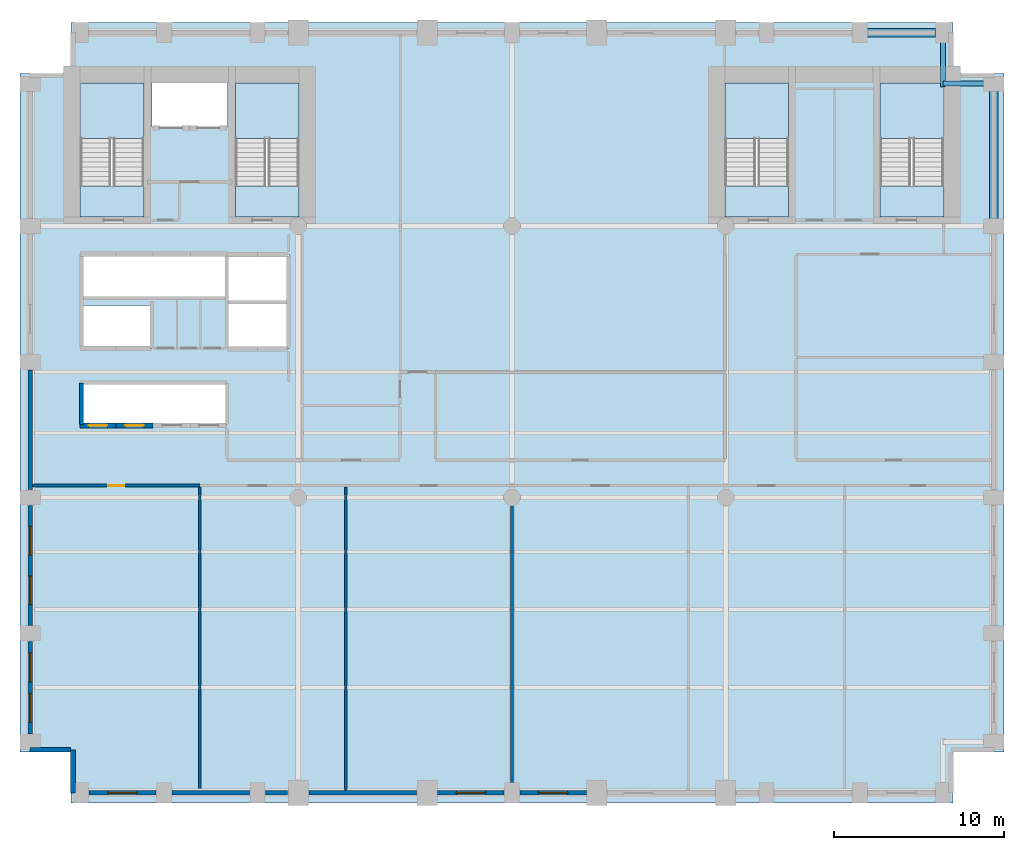
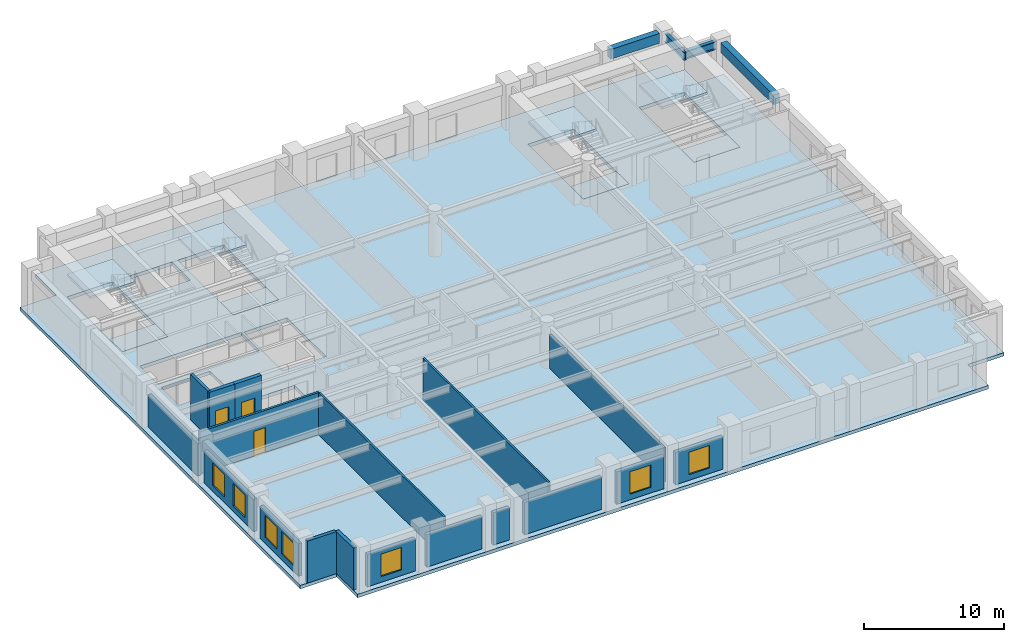
# One storey, part 2 of 8: 18 walls, 9 slabs, 7 windows, 4 beams, 3 doors, 10 openings, 4 elements without a shape of their own.
"""IFC4 building model written with IfcOpenShell, lengths in metres."""

from ifc_helpers import new_model, si_unit, direction, frame, frame_2d, origin, origin_2d, place, context, subcontext, project, spatial, polyline, rectangle, i_section, outline, extrude, material, layer, layer_set, material_profile, profile_set, type_object, element, fill, aggregate, save


model = new_model("IFC4")

# Units and contexts
model_context = context("Model", 3, precision=1e-05, world=origin(), true_north=direction((0.0, 1.0)))
body_context = subcontext(model_context, "Body", "Model", "MODEL_VIEW")
ifc_project = project(units=[si_unit("LENGTHUNIT", "METRE"), si_unit("AREAUNIT", "SQUARE_METRE"), si_unit("VOLUMEUNIT", "CUBIC_METRE"), si_unit("PLANEANGLEUNIT", "RADIAN"), si_unit("MASSUNIT", "GRAM", prefix="KILO")], contexts=[model_context])

# Site, building, storey
site_placement = place(None, origin())
site = spatial("IfcSite", under=ifc_project, at=site_placement, CompositionType="ELEMENT")
building_placement = place(site_placement, origin())
building = spatial("IfcBuilding", under=site, at=building_placement, Name="Sulina Concourse Tower", CompositionType="ELEMENT")
storey_placement = place(building_placement, frame((0.0, 0.0, 78.60009765625)))
storey = spatial("IfcBuildingStorey", under=building, at=storey_placement, Name="L19", CompositionType="ELEMENT", Elevation=78.60009765625)

# Beams
ifc_material_1 = material(Name="Steel S355", Category="steel")
ifc_material_profile_1 = material_profile(ifc_material_1, i_section(OverallWidth=0.300048828125, OverallDepth=0.699951171875, WebThickness=0.01708984375, FlangeThickness=0.031982421875, at=origin_2d()), Name="HE 700 B")
ifc_profile_set_1 = profile_set([ifc_material_profile_1], Name="Steel S355")
beam_type_1 = type_object("IfcBeamType", Name="Floor Primary Girder Zone 1 HE700B", PredefinedType="BEAM", material=ifc_profile_set_1)
beam_1_placement = place(storey_placement, frame((54.39990234375, 42.39990234375, 3.309814453125), z_axis=(1.0, 0.0, 0.0), x_axis=(0.0, 1.0, 0.0)))
element("IfcBeam", 1, at=beam_1_placement, inside=storey, type_object=beam_type_1, Name="TIE-NE-L19", PredefinedType="BEAM", context=body_context, shape_type="SweptSolid", body=[
    extrude(i_section(OverallWidth=0.300048828125, OverallDepth=0.699951171875, WebThickness=0.01708984375, FlangeThickness=0.031982421875, at=origin_2d()), origin(), (0.0, 0.0, 1.0), 2.570068359375),
])
beam_2_placement = place(storey_placement, frame((54.39990234375, 42.199951171875, 3.309814453125), z_axis=(0.0, 1.0, 0.0), x_axis=(-1.0, 0.0, 0.0)))
element("IfcBeam", 2, at=beam_2_placement, inside=storey, type_object=beam_type_1, Name="TIE-NEN-L19", PredefinedType="BEAM", context=body_context, shape_type="SweptSolid", body=[
    extrude(i_section(OverallWidth=0.300048828125, OverallDepth=0.699951171875, WebThickness=0.01708984375, FlangeThickness=0.031982421875, at=origin_2d()), origin(), (0.0, 0.0, 1.0), 2.77001953125),
])
ifc_material_2 = material(Name="Precast concrete C50/60", Category="concrete")
ifc_material_profile_2 = material_profile(ifc_material_2, rectangle(XDim=0.5, YDim=0.85009765625, at=origin_2d()), Name="RC 500x850")
ifc_profile_set_2 = profile_set([ifc_material_profile_2], Name="Precast concrete C50/60")
beam_type_2 = type_object("IfcBeamType", Name="Lower Precast Spandrel Edge Beam 500x850", PredefinedType="BEAM", material=ifc_profile_set_2)
beam_3_placement = place(storey_placement, frame((49.929931640625, 45.39990234375, 3.23486328125), z_axis=(1.0, 0.0, 0.0), x_axis=(0.0, 1.0, 0.0)))
element("IfcBeam", 3, at=beam_3_placement, inside=storey, type_object=beam_type_2, Name="SP-N10-L19", PredefinedType="BEAM", context=body_context, shape_type="SweptSolid", body=[
    extrude(rectangle(XDim=0.5, YDim=0.85009765625, at=origin_2d()), origin(), (0.0, 0.0, 1.0), 4.0400390625),
])
beam_4_placement = place(storey_placement, frame((57.39990234375, 34.429931640625, 3.23486328125), z_axis=(0.0, 1.0, 0.0), x_axis=(-1.0, 0.0, 0.0)))
element("IfcBeam", 4, at=beam_4_placement, inside=storey, type_object=beam_type_2, Name="SP-E5-L19", PredefinedType="BEAM", context=body_context, shape_type="SweptSolid", body=[
    extrude(rectangle(XDim=0.5, YDim=0.85009765625, at=origin_2d()), origin(), (0.0, 0.0, 1.0), 7.5400390625),
])

# Slabs
ifc_material_3 = material(Name="Concrete C50/60", Category="concrete")
ifc_layer_1 = layer(ifc_material_3, 0.300048828125)
ifc_layer_set_1 = layer_set([ifc_layer_1], Name="Concrete C50/60")
slab_type_1 = type_object("IfcSlabType", Name="Low-Rise Composite Floor Slab 300mm", PredefinedType="FLOOR", material=ifc_layer_set_1)
slab_1_placement = place(storey_placement, frame((0.0, 0.0, -0.300048828125)))
element("IfcSlab", 5, at=slab_1_placement, inside=storey, type_object=slab_type_1, Name="L19 structural floor slab", PredefinedType="FLOOR", context=body_context, shape_type="SweptSolid", body=[
    extrude(outline(polyline([(3.0, 0.0), (55.0, 0.0), (55.0, 3.0), (58.0, 3.0), (58.0, 43.0), (55.0, 43.0), (55.0, 46.0), (3.0, 46.0), (3.0, 43.0), (0.0, 43.0), (0.0, 3.0), (3.0, 3.0), (3.0, 0.0)]), holes=[polyline([(7.31005859375, 34.550048828125), (7.31005859375, 42.429931640625), (3.550048828125, 42.429931640625), (3.550048828125, 34.550048828125), (7.31005859375, 34.550048828125)]), polyline([(16.449951171875, 34.550048828125), (16.449951171875, 42.429931640625), (12.68994140625, 42.429931640625), (12.68994140625, 34.550048828125), (16.449951171875, 34.550048828125)]), polyline([(45.31005859375, 34.550048828125), (45.31005859375, 42.429931640625), (41.550048828125, 42.429931640625), (41.550048828125, 34.550048828125), (45.31005859375, 34.550048828125)]), polyline([(54.449951171875, 34.550048828125), (54.449951171875, 42.429931640625), (50.68994140625, 42.429931640625), (50.68994140625, 34.550048828125), (54.449951171875, 34.550048828125)]), polyline([(7.780029296875, 39.830078125), (12.219970703125, 39.830078125), (12.219970703125, 42.449951171875), (7.780029296875, 42.449951171875), (7.780029296875, 39.830078125)]), polyline([(3.739990234375, 26.780029296875), (7.77001953125, 26.780029296875), (7.77001953125, 29.320068359375), (3.739990234375, 29.320068359375), (3.739990234375, 26.780029296875)]), polyline([(3.739990234375, 29.780029296875), (12.10009765625, 29.780029296875), (12.10009765625, 32.3701171875), (3.739990234375, 32.3701171875), (3.739990234375, 29.780029296875)]), polyline([(3.739990234375, 22.280029296875), (12.10009765625, 22.280029296875), (12.10009765625, 24.77001953125), (3.739990234375, 24.77001953125), (3.739990234375, 22.280029296875)]), polyline([(12.280029296875, 26.780029296875), (15.85009765625, 26.780029296875), (15.85009765625, 32.320068359375), (12.280029296875, 32.320068359375), (12.280029296875, 26.780029296875)])]), origin(), (0.0, 0.0, 1.0), 0.300048828125),
])
ifc_material_4 = material(Name="Concrete C50/60", Category="concrete")
ifc_layer_2 = layer(ifc_material_4, 0.199951171875)
ifc_layer_set_2 = layer_set([ifc_layer_2], Name="Concrete C50/60")
slab_type_2 = type_object("IfcSlabType", Name="Primary Core Stair Landing Slab 200mm", PredefinedType="LANDING", material=ifc_layer_set_2)
slab_2_placement = place(storey_placement, frame((0.0, 0.0, -0.2001953125)))
element("IfcSlab", 6, at=slab_2_placement, inside=storey, type_object=slab_type_2, Name="L19 ST-1 floor landing slab", PredefinedType="LANDING", context=body_context, shape_type="SweptSolid", body=[
    extrude(outline(polyline([(7.31005859375, 34.550048828125), (7.31005859375, 36.375), (3.550048828125, 36.375), (3.550048828125, 34.550048828125), (7.31005859375, 34.550048828125)])), origin(), (0.0, 0.0, 1.0), 0.2001953125),
])
slab_3_placement = place(storey_placement, frame((0.0, 0.0, -0.2001953125)))
element("IfcSlab", 7, at=slab_3_placement, inside=storey, type_object=slab_type_2, Name="L19 ST-2 floor landing slab", PredefinedType="LANDING", context=body_context, shape_type="SweptSolid", body=[
    extrude(outline(polyline([(16.449951171875, 34.550048828125), (16.449951171875, 36.375), (12.68994140625, 36.375), (12.68994140625, 34.550048828125), (16.449951171875, 34.550048828125)])), origin(), (0.0, 0.0, 1.0), 0.2001953125),
])
slab_4_placement = place(storey_placement, frame((0.0, 0.0, -0.2001953125)))
element("IfcSlab", 8, at=slab_4_placement, inside=storey, type_object=slab_type_2, Name="L19 ST-3 floor landing slab", PredefinedType="LANDING", context=body_context, shape_type="SweptSolid", body=[
    extrude(outline(polyline([(45.31005859375, 34.550048828125), (45.31005859375, 36.375), (41.550048828125, 36.375), (41.550048828125, 34.550048828125), (45.31005859375, 34.550048828125)])), origin(), (0.0, 0.0, 1.0), 0.2001953125),
])
slab_5_placement = place(storey_placement, frame((0.0, 0.0, -0.2001953125)))
element("IfcSlab", 9, at=slab_5_placement, inside=storey, type_object=slab_type_2, Name="L19 ST-4 floor landing slab", PredefinedType="LANDING", context=body_context, shape_type="SweptSolid", body=[
    extrude(outline(polyline([(54.449951171875, 34.550048828125), (54.449951171875, 36.375), (50.68994140625, 36.375), (50.68994140625, 34.550048828125), (54.449951171875, 34.550048828125)])), origin(), (0.0, 0.0, 1.0), 0.2001953125),
])

# Stair, slab
ifc_material_5 = material(Name="Concrete C50/60", Category="concrete")
stair_type_1 = type_object("IfcStairType", Name="Primary Core Dog-Leg Exit Stair 1800mm", PredefinedType="HALF_TURN_STAIR", material=ifc_material_5)
stair_1_placement = place(storey_placement, origin())
stair_1 = element("IfcStair", 10, at=stair_1_placement, inside=storey, type_object=stair_type_1, Name="L19 ST-1", PredefinedType="HALF_TURN_STAIR")
slab_6_placement = place(storey_placement, frame((0.0, 0.0, 1.7998046875)))
slab_6 = element("IfcSlab", 11, at=slab_6_placement, type_object=slab_type_2, Name="ST-1 landing 1", PredefinedType="LANDING", context=body_context, shape_type="SweptSolid", body=[
    extrude(outline(polyline([(7.304931640625, 39.175048828125), (7.304931640625, 42.425048828125), (3.554931640625, 42.425048828125), (3.554931640625, 39.175048828125), (7.304931640625, 39.175048828125)])), origin(), (0.0, 0.0, 1.0), 0.2001953125),
])
aggregate(stair_1, [slab_6])

stair_2_placement = place(storey_placement, origin())
stair_2 = element("IfcStair", 12, at=stair_2_placement, inside=storey, type_object=stair_type_1, Name="L19 ST-2", PredefinedType="HALF_TURN_STAIR")
slab_7_placement = place(storey_placement, frame((0.0, 0.0, 1.7998046875)))
slab_7 = element("IfcSlab", 13, at=slab_7_placement, type_object=slab_type_2, Name="ST-2 landing 1", PredefinedType="LANDING", context=body_context, shape_type="SweptSolid", body=[
    extrude(outline(polyline([(16.445068359375, 39.175048828125), (16.445068359375, 42.425048828125), (12.695068359375, 42.425048828125), (12.695068359375, 39.175048828125), (16.445068359375, 39.175048828125)])), origin(), (0.0, 0.0, 1.0), 0.2001953125),
])
aggregate(stair_2, [slab_7])

ifc_material_6 = material(Name="Concrete C50/60", Category="concrete")
stair_type_2 = type_object("IfcStairType", Name="Portal & Podium Core Exit Stair 1820mm", PredefinedType="HALF_TURN_STAIR", material=ifc_material_6)
stair_3_placement = place(storey_placement, origin())
stair_3 = element("IfcStair", 14, at=stair_3_placement, inside=storey, type_object=stair_type_2, Name="L19 ST-3", PredefinedType="HALF_TURN_STAIR")
slab_8_placement = place(storey_placement, frame((0.0, 0.0, 1.7998046875)))
slab_8 = element("IfcSlab", 15, at=slab_8_placement, type_object=slab_type_2, Name="ST-3 landing 1", PredefinedType="LANDING", context=body_context, shape_type="SweptSolid", body=[
    extrude(outline(polyline([(45.304931640625, 39.175048828125), (45.304931640625, 42.425048828125), (41.554931640625, 42.425048828125), (41.554931640625, 39.175048828125), (45.304931640625, 39.175048828125)])), origin(), (0.0, 0.0, 1.0), 0.2001953125),
])
aggregate(stair_3, [slab_8])

stair_4_placement = place(storey_placement, origin())
stair_4 = element("IfcStair", 16, at=stair_4_placement, inside=storey, type_object=stair_type_2, Name="L19 ST-4", PredefinedType="HALF_TURN_STAIR")
slab_9_placement = place(storey_placement, frame((0.0, 0.0, 1.7998046875)))
slab_9 = element("IfcSlab", 17, at=slab_9_placement, type_object=slab_type_2, Name="ST-4 landing 1", PredefinedType="LANDING", context=body_context, shape_type="SweptSolid", body=[
    extrude(outline(polyline([(54.445068359375, 39.175048828125), (54.445068359375, 42.425048828125), (50.695068359375, 42.425048828125), (50.695068359375, 39.175048828125), (54.445068359375, 39.175048828125)])), origin(), (0.0, 0.0, 1.0), 0.2001953125),
])
aggregate(stair_4, [slab_9])

# Wall
ifc_material_7 = material(Name="Concrete C50/60", Category="concrete")
ifc_layer_3 = layer(ifc_material_7, 0.219970703125)
ifc_layer_set_3 = layer_set([ifc_layer_3], Name="Concrete C50/60")
wall_type_1 = type_object("IfcWallType", Name="Core Lift Hoistway Divider Wall 220mm", PredefinedType="SOLIDWALL", material=ifc_layer_set_3)
wall_1_placement = place(storey_placement, frame((3.6298828125, 22.300048828125, 0.0), z_axis=(0.0, 0.0, 1.0), x_axis=(0.0, 1.0, 0.0)))
element("IfcWall", 18, at=wall_1_placement, inside=storey, type_object=wall_type_1, Name="L19 shaft divider wall HW-LP1-W", PredefinedType="SOLIDWALL", context=body_context, shape_type="SweptSolid", body=[
    extrude(rectangle(XDim=2.449951171875, YDim=0.219970703125, at=frame_2d((1.22509765625, 0.0))), origin(), (0.0, 0.0, 1.0), 4.0),
])

# Wall, opening, door
ifc_material_8 = material(Name="Concrete C50/60", Category="concrete")
ifc_layer_4 = layer(ifc_material_8, 0.300048828125)
ifc_layer_set_4 = layer_set([ifc_layer_4], Name="Concrete C50/60")
wall_type_2 = type_object("IfcWallType", Name="Core Lift Hoistway Wall 300mm", PredefinedType="SOLIDWALL", material=ifc_layer_set_4)
wall_2_placement = place(storey_placement, frame((5.64990234375, 22.25, 0.0), z_axis=(0.0, 0.0, 1.0), x_axis=(-1.0, 0.0, 0.0)))
wall_2 = element("IfcWall", 19, at=wall_2_placement, inside=storey, type_object=wall_type_2, Name="L19 hoistway enclosure wall LP-01", PredefinedType="SOLIDWALL", context=body_context, shape_type="SweptSolid", body=[
    extrude(rectangle(XDim=2.099853515625, YDim=0.300048828125, at=frame_2d((1.0498046875, 0.0))), origin(), (0.0, 0.0, 1.0), 4.0),
])
opening_1_placement = place(wall_2_placement, frame((0.5, 0.0, 0.0)))
opening_1 = element("IfcOpeningElement", 20, at=opening_1_placement, cuts=wall_2, Name="Opening LD-01", PredefinedType="OPENING", context=body_context, shape_type="SweptSolid", body=[
    extrude(rectangle(XDim=1.10009765625, YDim=2.199951171875, at=frame_2d((0.550048828125, 1.10009765625))), frame((0.0, 0.159912109375, 0.0), z_axis=(0.0, -1.0, 0.0), x_axis=(1.0, 0.0, 0.0)), (0.0, 0.0, 1.0), 0.320068359375),
])
ifc_material_9 = material(Name="Stainless steel lift landing door", Category="steel")
ifc_layer_5 = layer(ifc_material_9, 0.050048828125)
ifc_layer_set_5 = layer_set([ifc_layer_5], Name="Stainless steel lift landing door")
door_type_1 = type_object("IfcDoorType", Name="Passenger Lift Sliding Landing Door 1100x2200", OperationType="SLIDING_TO_LEFT", PredefinedType="DOOR", material=ifc_layer_set_5)
door_1_placement = place(opening_1_placement, origin())
door_1 = element("IfcDoor", 21, at=door_1_placement, inside=storey, type_object=door_type_1, Name="L19 lift landing sliding door LP-01", OperationType="SLIDING_TO_LEFT", OverallHeight=2.199951171875, OverallWidth=1.10009765625, PredefinedType="DOOR", context=body_context, shape_type="SweptSolid", body=[
    extrude(rectangle(XDim=1.10009765625, YDim=2.199951171875, at=frame_2d((0.550048828125, 1.10009765625))), frame((0.0, 0.02490234375, 0.0), z_axis=(0.0, -1.0, 0.0), x_axis=(1.0, 0.0, 0.0)), (0.0, 0.0, 1.0), 0.050048828125),
])
fill(opening_1, door_1)

wall_3_placement = place(storey_placement, frame((7.85009765625, 22.25, 0.0), z_axis=(0.0, 0.0, 1.0), x_axis=(-1.0, 0.0, 0.0)))
wall_3 = element("IfcWall", 22, at=wall_3_placement, inside=storey, type_object=wall_type_2, Name="L19 hoistway enclosure wall LP-02", PredefinedType="SOLIDWALL", context=body_context, shape_type="SweptSolid", body=[
    extrude(rectangle(XDim=2.2001953125, YDim=0.300048828125, at=frame_2d((1.10009765625, 0.0))), origin(), (0.0, 0.0, 1.0), 4.0),
])
opening_2_placement = place(wall_3_placement, frame((0.550048828125, 0.0, 0.0)))
opening_2 = element("IfcOpeningElement", 23, at=opening_2_placement, cuts=wall_3, Name="Opening LD-01", PredefinedType="OPENING", context=body_context, shape_type="SweptSolid", body=[
    extrude(rectangle(XDim=1.10009765625, YDim=2.199951171875, at=frame_2d((0.550048828125, 1.10009765625))), frame((0.0, 0.159912109375, 0.0), z_axis=(0.0, -1.0, 0.0), x_axis=(1.0, 0.0, 0.0)), (0.0, 0.0, 1.0), 0.320068359375),
])
door_2_placement = place(opening_2_placement, origin())
door_2 = element("IfcDoor", 24, at=door_2_placement, inside=storey, type_object=door_type_1, Name="L19 lift landing sliding door LP-02", OperationType="SLIDING_TO_RIGHT", OverallHeight=2.199951171875, OverallWidth=1.10009765625, PredefinedType="DOOR", context=body_context, shape_type="SweptSolid", body=[
    extrude(rectangle(XDim=1.10009765625, YDim=2.199951171875, at=frame_2d((0.550048828125, 1.10009765625))), frame((0.0, 0.02490234375, 0.0), z_axis=(0.0, -1.0, 0.0), x_axis=(1.0, 0.0, 0.0)), (0.0, 0.0, 1.0), 0.050048828125),
])
fill(opening_2, door_2)

# Walls
ifc_material_10 = material(Name="Gypsum board on steel stud", Category="steel")
ifc_layer_6 = layer(ifc_material_10, 0.14990234375)
ifc_layer_set_6 = layer_set([ifc_layer_6], Name="Gypsum board on steel stud")
wall_type_3 = type_object("IfcWallType", Name="Inter-Tenancy Acoustic Partition 150mm", PredefinedType="PARTITIONING", material=ifc_layer_set_6)
for number, where, z_axis, x_axis, name in (
    (25, (10.60009765625, 0.739990234375, 0.0), (0.0, 0.0, 1.0), (0.0, 1.0, 0.0), "L19 interior partition 026"),
    (26, (19.199951171875, 0.739990234375, 0.0), (0.0, 0.0, 1.0), (0.0, 1.0, 0.0), "L19 interior partition 033"),
):
    element("IfcWall", number, at=place(storey_placement, frame(where, z_axis=z_axis, x_axis=x_axis)), inside=storey, type_object=wall_type_3, Name=name, PredefinedType="PARTITIONING", context=body_context, shape_type="SweptSolid", body=[
        extrude(rectangle(XDim=17.8701171875, YDim=0.14990234375, at=frame_2d((8.93505859375, 0.0))), origin(), (0.0, 0.0, 1.0), 3.659912109375),
    ])
wall_4_placement = place(storey_placement, frame((29.0, 1.199951171875, 0.0), z_axis=(0.0, 0.0, 1.0), x_axis=(0.0, 1.0, 0.0)))
element("IfcWall", 27, at=wall_4_placement, inside=storey, type_object=wall_type_3, Name="L19 interior partition 038", PredefinedType="PARTITIONING", context=body_context, shape_type="SweptSolid", body=[
    extrude(rectangle(XDim=16.300048828125, YDim=0.14990234375, at=frame_2d((8.14990234375, 0.0))), origin(), (0.0, 0.0, 1.0), 2.954833984375),
])

# Wall, opening, door
ifc_material_11 = material(Name="Gypsum board on steel stud", Category="steel")
ifc_layer_7 = layer(ifc_material_11, 0.179931640625)
ifc_layer_set_7 = layer_set([ifc_layer_7], Name="Gypsum board on steel stud")
wall_type_4 = type_object("IfcWallType", Name="Protected Corridor & Riser Partition 180mm", PredefinedType="PARTITIONING", material=ifc_layer_set_7)
wall_5_placement = place(storey_placement, frame((0.739990234375, 18.699951171875, 0.0), z_axis=(0.0, 0.0, 1.0), x_axis=(1.0, 0.0, 0.0)))
wall_5 = element("IfcWall", 28, at=wall_5_placement, inside=storey, type_object=wall_type_4, Name="L19 interior partition 001", PredefinedType="PARTITIONING", context=body_context, shape_type="SweptSolid", body=[
    extrude(rectangle(XDim=9.860107421875, YDim=0.179931640625, at=frame_2d((4.93017578125, 0.0))), origin(), (0.0, 0.0, 1.0), 3.659912109375),
])
opening_3_placement = place(wall_5_placement, frame((4.455078125, 0.0, 0.0)))
opening_3 = element("IfcOpeningElement", 29, at=opening_3_placement, cuts=wall_5, Name="Opening DR-19", PredefinedType="OPENING", context=body_context, shape_type="SweptSolid", body=[
    extrude(rectangle(XDim=0.949951171875, YDim=2.14990234375, at=frame_2d((0.47509765625, 1.074951171875))), frame((0.0, 0.099853515625, 0.0), z_axis=(0.0, -1.0, 0.0), x_axis=(1.0, 0.0, 0.0)), (0.0, 0.0, 1.0), 0.199951171875),
])
ifc_material_12 = material(Name="Oak-veneered acoustic timber leaf", Category="wood")
ifc_layer_8 = layer(ifc_material_12, 0.050048828125)
ifc_layer_set_8 = layer_set([ifc_layer_8], Name="Oak-veneered acoustic timber leaf")
door_type_2 = type_object("IfcDoorType", Name="Cellular Office & Meeting Door 950x2150", OperationType="NOTDEFINED", PredefinedType="DOOR", material=ifc_layer_set_8)
door_3_placement = place(opening_3_placement, origin())
door_3 = element("IfcDoor", 30, at=door_3_placement, inside=storey, type_object=door_type_2, Name="L19 interior door L19-S01", OperationType="SINGLE_SWING_LEFT", OverallHeight=2.14990234375, OverallWidth=0.949951171875, PredefinedType="DOOR", context=body_context, shape_type="SweptSolid", body=[
    extrude(rectangle(XDim=0.949951171875, YDim=2.14990234375, at=frame_2d((0.47509765625, 1.074951171875))), frame((0.0, 0.02490234375, 0.0), z_axis=(0.0, -1.0, 0.0), x_axis=(1.0, 0.0, 0.0)), (0.0, 0.0, 1.0), 0.050048828125),
])
fill(opening_3, door_3)

# Wall, opening, window
ifc_material_13 = material(Name="Precast concrete C50/60", Category="concrete")
ifc_layer_9 = layer(ifc_material_13, 0.280029296875)
ifc_layer_set_9 = layer_set([ifc_layer_9], Name="Precast concrete C50/60")
wall_type_5 = type_object("IfcWallType", Name="Typical Precast Masonry-Frame Facade Wall 280mm", PredefinedType="SOLIDWALL", material=ifc_layer_set_9)
wall_6_placement = place(storey_placement, frame((8.030029296875, 0.60009765625, 0.0), z_axis=(0.0, 0.0, 1.0), x_axis=(-1.0, 0.0, 0.0)))
wall_6 = element("IfcWall", 31, at=wall_6_placement, inside=storey, type_object=wall_type_5, Name="L19 exterior precast wall S1", PredefinedType="SOLIDWALL", context=body_context, shape_type="SweptSolid", body=[
    extrude(rectangle(XDim=3.9599609375, YDim=0.280029296875, at=frame_2d((1.97998046875, 0.0))), origin(), (0.0, 0.0, 1.0), 2.809814453125),
])
opening_4_placement = place(wall_6_placement, frame((1.1298828125, 0.0, 0.5)))
opening_4 = element("IfcOpeningElement", 32, at=opening_4_placement, cuts=wall_6, Name="Opening WN-66", PredefinedType="OPENING", context=body_context, shape_type="SweptSolid", body=[
    extrude(rectangle(XDim=1.699951171875, YDim=1.949951171875, at=frame_2d((0.85009765625, 0.97509765625))), frame((0.0, 0.14990234375, 0.0), z_axis=(0.0, -1.0, 0.0), x_axis=(1.0, 0.0, 0.0)), (0.0, 0.0, 1.0), 0.300048828125),
])
ifc_material_14 = material(Name="Low-E solar double glazing in bronze aluminium", Category="aluminium")
window_type = type_object("IfcWindowType", Name="Recessed Spandrel Window 1700x1950", PartitioningType="SINGLE_PANEL", PredefinedType="WINDOW", material=ifc_material_14)
window_1_placement = place(opening_4_placement, origin())
window_1 = element("IfcWindow", 33, at=window_1_placement, inside=storey, type_object=window_type, Name="L19 punched window S1-1", OverallHeight=1.949951171875, OverallWidth=1.699951171875, PartitioningType="SINGLE_PANEL", PredefinedType="WINDOW", context=body_context, shape_type="SweptSolid", body=[
    extrude(rectangle(XDim=1.699951171875, YDim=1.949951171875, at=frame_2d((0.85009765625, 0.97509765625))), frame((0.0, 0.030029296875, 0.0), z_axis=(0.0, -1.0, 0.0), x_axis=(1.0, 0.0, 0.0)), (0.0, 0.0, 1.0), 0.06005859375),
])
fill(opening_4, window_1)

# Walls
wall_7_placement = place(storey_placement, frame((13.530029296875, 0.60009765625, 0.0), z_axis=(0.0, 0.0, 1.0), x_axis=(-1.0, 0.0, 0.0)))
element("IfcWall", 34, at=wall_7_placement, inside=storey, type_object=wall_type_5, Name="L19 exterior precast wall S2", PredefinedType="SOLIDWALL", context=body_context, shape_type="SweptSolid", body=[
    extrude(rectangle(XDim=4.56005859375, YDim=0.280029296875, at=frame_2d((2.280029296875, 0.0))), origin(), (0.0, 0.0, 1.0), 2.809814453125),
])
wall_8_placement = place(storey_placement, frame((15.780029296875, 0.60009765625, 0.0), z_axis=(0.0, 0.0, 1.0), x_axis=(-1.0, 0.0, 0.0)))
element("IfcWall", 35, at=wall_8_placement, inside=storey, type_object=wall_type_5, Name="L19 exterior precast wall S3", PredefinedType="SOLIDWALL", context=body_context, shape_type="SweptSolid", body=[
    extrude(rectangle(XDim=1.31005859375, YDim=0.280029296875, at=frame_2d((0.655029296875, 0.0))), origin(), (0.0, 0.0, 1.0), 2.809814453125),
])
wall_9_placement = place(storey_placement, frame((23.3798828125, 0.60009765625, 0.0), z_axis=(0.0, 0.0, 1.0), x_axis=(-1.0, 0.0, 0.0)))
element("IfcWall", 36, at=wall_9_placement, inside=storey, type_object=wall_type_5, Name="L19 exterior precast wall S4", PredefinedType="SOLIDWALL", context=body_context, shape_type="SweptSolid", body=[
    extrude(rectangle(XDim=6.35986328125, YDim=0.280029296875, at=frame_2d((3.179931640625, 0.0))), origin(), (0.0, 0.0, 1.0), 2.809814453125),
])

# Wall, opening, window
wall_10_placement = place(storey_placement, frame((28.530029296875, 0.60009765625, 0.0), z_axis=(0.0, 0.0, 1.0), x_axis=(-1.0, 0.0, 0.0)))
wall_10 = element("IfcWall", 37, at=wall_10_placement, inside=storey, type_object=wall_type_5, Name="L19 exterior precast wall S5", PredefinedType="SOLIDWALL", context=body_context, shape_type="SweptSolid", body=[
    extrude(rectangle(XDim=3.909912109375, YDim=0.280029296875, at=frame_2d((1.955078125, 0.0))), origin(), (0.0, 0.0, 1.0), 2.809814453125),
])
opening_5_placement = place(wall_10_placement, frame((1.10498046875, 0.0, 0.5)))
opening_5 = element("IfcOpeningElement", 38, at=opening_5_placement, cuts=wall_10, Name="Opening WN-66", PredefinedType="OPENING", context=body_context, shape_type="SweptSolid", body=[
    extrude(rectangle(XDim=1.699951171875, YDim=1.949951171875, at=frame_2d((0.85009765625, 0.97509765625))), frame((0.0, 0.14990234375, 0.0), z_axis=(0.0, -1.0, 0.0), x_axis=(1.0, 0.0, 0.0)), (0.0, 0.0, 1.0), 0.300048828125),
])
window_2_placement = place(opening_5_placement, origin())
window_2 = element("IfcWindow", 39, at=window_2_placement, inside=storey, type_object=window_type, Name="L19 punched window S5-1", OverallHeight=1.949951171875, OverallWidth=1.699951171875, PartitioningType="SINGLE_PANEL", PredefinedType="WINDOW", context=body_context, shape_type="SweptSolid", body=[
    extrude(rectangle(XDim=1.699951171875, YDim=1.949951171875, at=frame_2d((0.85009765625, 0.97509765625))), frame((0.0, 0.030029296875, 0.0), z_axis=(0.0, -1.0, 0.0), x_axis=(1.0, 0.0, 0.0)), (0.0, 0.0, 1.0), 0.06005859375),
])
fill(opening_5, window_2)

wall_11_placement = place(storey_placement, frame((33.3798828125, 0.60009765625, 0.0), z_axis=(0.0, 0.0, 1.0), x_axis=(-1.0, 0.0, 0.0)))
wall_11 = element("IfcWall", 40, at=wall_11_placement, inside=storey, type_object=wall_type_5, Name="L19 exterior precast wall S6", PredefinedType="SOLIDWALL", context=body_context, shape_type="SweptSolid", body=[
    extrude(rectangle(XDim=3.909912109375, YDim=0.280029296875, at=frame_2d((1.955078125, 0.0))), origin(), (0.0, 0.0, 1.0), 2.809814453125),
])
opening_6_placement = place(wall_11_placement, frame((1.10498046875, 0.0, 0.5)))
opening_6 = element("IfcOpeningElement", 41, at=opening_6_placement, cuts=wall_11, Name="Opening WN-66", PredefinedType="OPENING", context=body_context, shape_type="SweptSolid", body=[
    extrude(rectangle(XDim=1.699951171875, YDim=1.949951171875, at=frame_2d((0.85009765625, 0.97509765625))), frame((0.0, 0.14990234375, 0.0), z_axis=(0.0, -1.0, 0.0), x_axis=(1.0, 0.0, 0.0)), (0.0, 0.0, 1.0), 0.300048828125),
])
window_3_placement = place(opening_6_placement, origin())
window_3 = element("IfcWindow", 42, at=window_3_placement, inside=storey, type_object=window_type, Name="L19 punched window S6-1", OverallHeight=1.949951171875, OverallWidth=1.699951171875, PartitioningType="SINGLE_PANEL", PredefinedType="WINDOW", context=body_context, shape_type="SweptSolid", body=[
    extrude(rectangle(XDim=1.699951171875, YDim=1.949951171875, at=frame_2d((0.85009765625, 0.97509765625))), frame((0.0, 0.030029296875, 0.0), z_axis=(0.0, -1.0, 0.0), x_axis=(1.0, 0.0, 0.0)), (0.0, 0.0, 1.0), 0.06005859375),
])
fill(opening_6, window_3)

# Wall, openings, windows
wall_12_placement = place(storey_placement, frame((0.60009765625, 4.070068359375, 0.0), z_axis=(0.0, 0.0, 1.0), x_axis=(0.0, 1.0, 0.0)))
wall_12 = element("IfcWall", 43, at=wall_12_placement, inside=storey, type_object=wall_type_5, Name="L19 exterior precast wall W1", PredefinedType="SOLIDWALL", context=body_context, shape_type="SweptSolid", body=[
    extrude(rectangle(XDim=5.4599609375, YDim=0.280029296875, at=frame_2d((2.72998046875, 0.0))), origin(), (0.0, 0.0, 1.0), 2.809814453125),
])
opening_7_placement = place(wall_12_placement, frame((0.686767578125, 0.0, 0.5)))
opening_7 = element("IfcOpeningElement", 44, at=opening_7_placement, cuts=wall_12, Name="Opening WN-66", PredefinedType="OPENING", context=body_context, shape_type="SweptSolid", body=[
    extrude(rectangle(XDim=1.699951171875, YDim=1.949951171875, at=frame_2d((0.85009765625, 0.97509765625))), frame((0.0, 0.14990234375, 0.0), z_axis=(0.0, -1.0, 0.0), x_axis=(1.0, 0.0, 0.0)), (0.0, 0.0, 1.0), 0.300048828125),
])
opening_8_placement = place(wall_12_placement, frame((3.0732421875, 0.0, 0.5)))
opening_8 = element("IfcOpeningElement", 45, at=opening_8_placement, cuts=wall_12, Name="Opening WN-66", PredefinedType="OPENING", context=body_context, shape_type="SweptSolid", body=[
    extrude(rectangle(XDim=1.699951171875, YDim=1.949951171875, at=frame_2d((0.85009765625, 0.97509765625))), frame((0.0, 0.14990234375, 0.0), z_axis=(0.0, -1.0, 0.0), x_axis=(1.0, 0.0, 0.0)), (0.0, 0.0, 1.0), 0.300048828125),
])
window_4_placement = place(opening_7_placement, origin())
window_4 = element("IfcWindow", 46, at=window_4_placement, inside=storey, type_object=window_type, Name="L19 punched window W1-1", OverallHeight=1.949951171875, OverallWidth=1.699951171875, PartitioningType="SINGLE_PANEL", PredefinedType="WINDOW", context=body_context, shape_type="SweptSolid", body=[
    extrude(rectangle(XDim=1.699951171875, YDim=1.949951171875, at=frame_2d((0.85009765625, 0.97509765625))), frame((0.0, 0.030029296875, 0.0), z_axis=(0.0, -1.0, 0.0), x_axis=(1.0, 0.0, 0.0)), (0.0, 0.0, 1.0), 0.06005859375),
])
fill(opening_7, window_4)
window_5_placement = place(opening_8_placement, origin())
window_5 = element("IfcWindow", 47, at=window_5_placement, inside=storey, type_object=window_type, Name="L19 punched window W1-2", OverallHeight=1.949951171875, OverallWidth=1.699951171875, PartitioningType="SINGLE_PANEL", PredefinedType="WINDOW", context=body_context, shape_type="SweptSolid", body=[
    extrude(rectangle(XDim=1.699951171875, YDim=1.949951171875, at=frame_2d((0.85009765625, 0.97509765625))), frame((0.0, 0.030029296875, 0.0), z_axis=(0.0, -1.0, 0.0), x_axis=(1.0, 0.0, 0.0)), (0.0, 0.0, 1.0), 0.06005859375),
])
fill(opening_8, window_5)

wall_13_placement = place(storey_placement, frame((0.60009765625, 10.469970703125, 0.0), z_axis=(0.0, 0.0, 1.0), x_axis=(0.0, 1.0, 0.0)))
wall_13 = element("IfcWall", 48, at=wall_13_placement, inside=storey, type_object=wall_type_5, Name="L19 exterior precast wall W2", PredefinedType="SOLIDWALL", context=body_context, shape_type="SweptSolid", body=[
    extrude(rectangle(XDim=7.06005859375, YDim=0.280029296875, at=frame_2d((3.530029296875, 0.0))), origin(), (0.0, 0.0, 1.0), 2.809814453125),
])
opening_9_placement = place(wall_13_placement, frame((1.219970703125, 0.0, 0.5)))
opening_9 = element("IfcOpeningElement", 49, at=opening_9_placement, cuts=wall_13, Name="Opening WN-66", PredefinedType="OPENING", context=body_context, shape_type="SweptSolid", body=[
    extrude(rectangle(XDim=1.699951171875, YDim=1.949951171875, at=frame_2d((0.85009765625, 0.97509765625))), frame((0.0, 0.14990234375, 0.0), z_axis=(0.0, -1.0, 0.0), x_axis=(1.0, 0.0, 0.0)), (0.0, 0.0, 1.0), 0.300048828125),
])
opening_10_placement = place(wall_13_placement, frame((4.139892578125, 0.0, 0.5)))
opening_10 = element("IfcOpeningElement", 50, at=opening_10_placement, cuts=wall_13, Name="Opening WN-66", PredefinedType="OPENING", context=body_context, shape_type="SweptSolid", body=[
    extrude(rectangle(XDim=1.699951171875, YDim=1.949951171875, at=frame_2d((0.85009765625, 0.97509765625))), frame((0.0, 0.14990234375, 0.0), z_axis=(0.0, -1.0, 0.0), x_axis=(1.0, 0.0, 0.0)), (0.0, 0.0, 1.0), 0.300048828125),
])
window_6_placement = place(opening_9_placement, origin())
window_6 = element("IfcWindow", 51, at=window_6_placement, inside=storey, type_object=window_type, Name="L19 punched window W2-1", OverallHeight=1.949951171875, OverallWidth=1.699951171875, PartitioningType="SINGLE_PANEL", PredefinedType="WINDOW", context=body_context, shape_type="SweptSolid", body=[
    extrude(rectangle(XDim=1.699951171875, YDim=1.949951171875, at=frame_2d((0.85009765625, 0.97509765625))), frame((0.0, 0.030029296875, 0.0), z_axis=(0.0, -1.0, 0.0), x_axis=(1.0, 0.0, 0.0)), (0.0, 0.0, 1.0), 0.06005859375),
])
fill(opening_9, window_6)
window_7_placement = place(opening_10_placement, origin())
window_7 = element("IfcWindow", 52, at=window_7_placement, inside=storey, type_object=window_type, Name="L19 punched window W2-2", OverallHeight=1.949951171875, OverallWidth=1.699951171875, PartitioningType="SINGLE_PANEL", PredefinedType="WINDOW", context=body_context, shape_type="SweptSolid", body=[
    extrude(rectangle(XDim=1.699951171875, YDim=1.949951171875, at=frame_2d((0.85009765625, 0.97509765625))), frame((0.0, 0.030029296875, 0.0), z_axis=(0.0, -1.0, 0.0), x_axis=(1.0, 0.0, 0.0)), (0.0, 0.0, 1.0), 0.06005859375),
])
fill(opening_10, window_7)

# Walls
wall_14_placement = place(storey_placement, frame((0.60009765625, 18.469970703125, 0.0), z_axis=(0.0, 0.0, 1.0), x_axis=(0.0, 1.0, 0.0)))
element("IfcWall", 53, at=wall_14_placement, inside=storey, type_object=wall_type_5, Name="L19 exterior precast wall W3", PredefinedType="SOLIDWALL", context=body_context, shape_type="SweptSolid", body=[
    extrude(rectangle(XDim=7.06005859375, YDim=0.280029296875, at=frame_2d((3.530029296875, 0.0))), origin(), (0.0, 0.0, 1.0), 2.809814453125),
])
wall_15_placement = place(storey_placement, frame((3.1298828125, 0.60009765625, 0.0), z_axis=(0.0, 0.0, 1.0), x_axis=(0.0, 1.0, 0.0)))
element("IfcWall", 54, at=wall_15_placement, inside=storey, type_object=wall_type_5, Name="L19 exterior precast wall CSW1", PredefinedType="SOLIDWALL", context=body_context, shape_type="SweptSolid", body=[
    extrude(rectangle(XDim=2.52978515625, YDim=0.280029296875, at=frame_2d((1.264892578125, 0.0))), origin(), (0.0, 0.0, 1.0), 3.659912109375),
])
wall_16_placement = place(storey_placement, frame((2.985107421875, 3.1298828125, 0.0), z_axis=(0.0, 0.0, 1.0), x_axis=(-1.0, 0.0, 0.0)))
element("IfcWall", 55, at=wall_16_placement, inside=storey, type_object=wall_type_5, Name="L19 exterior precast wall CSW2", PredefinedType="SOLIDWALL", context=body_context, shape_type="SweptSolid", body=[
    extrude(rectangle(XDim=2.385009765625, YDim=0.280029296875, at=frame_2d((1.1923828125, 0.0))), origin(), (0.0, 0.0, 1.0), 3.659912109375),
])

save(model, "model.ifc")
